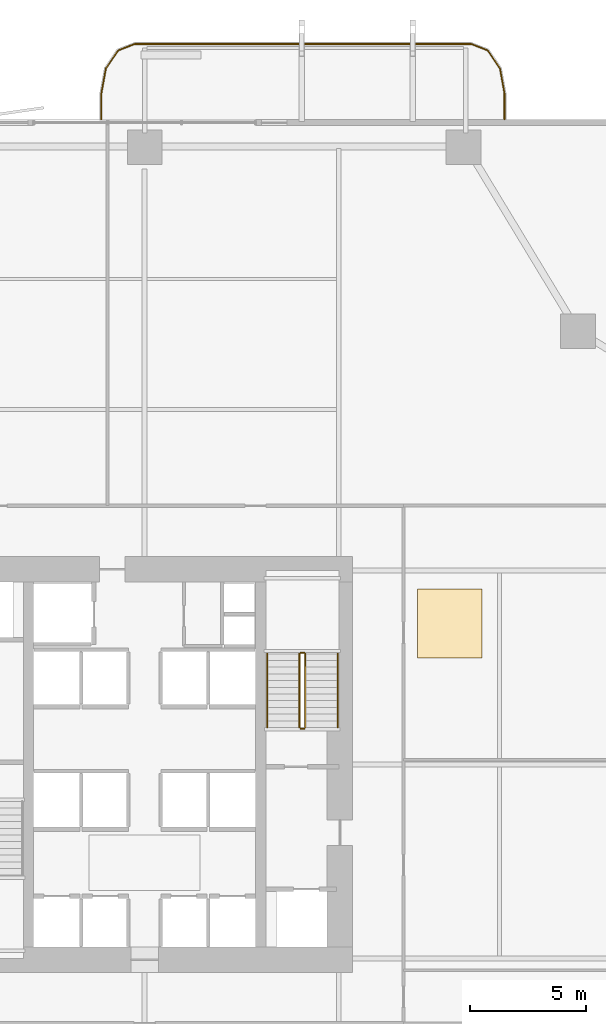
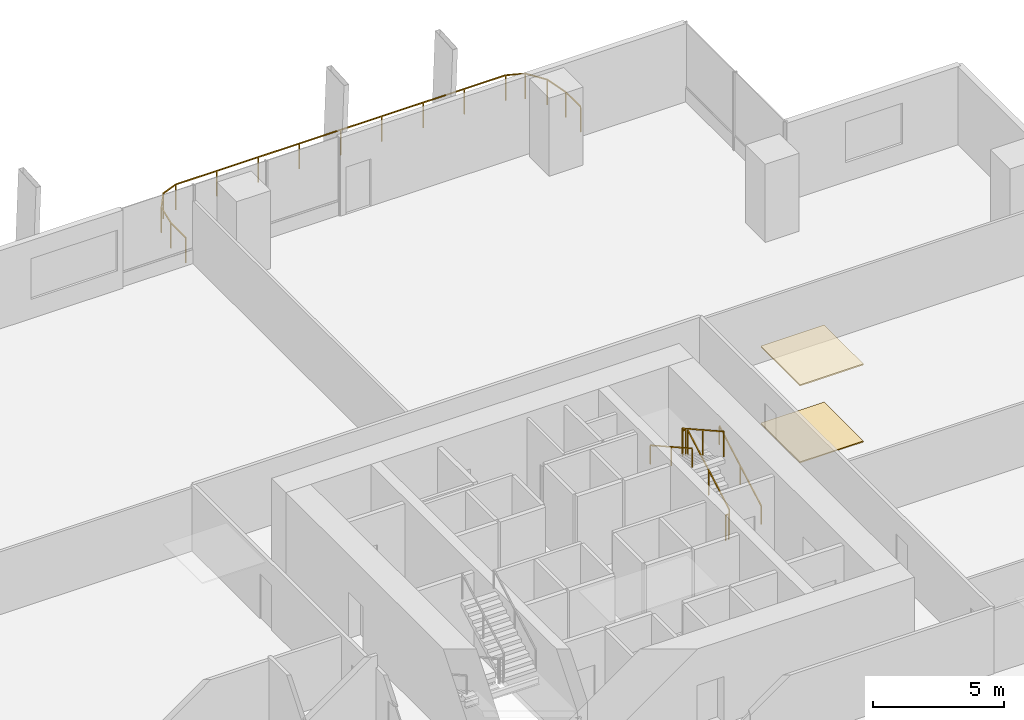
# One storey, part 30 of 30: 7 railings, 2 coverings.
"""IFC4 building model written with IfcOpenShell, lengths in metres."""

from ifc_helpers import new_model, si_unit, direction, frame, origin, origin_2d, place, context, subcontext, project, spatial, polyline, rectangle, outline, extrude, material, layer, layer_set, type_object, element, save


model = new_model("IFC4")

# Units and contexts
model_context = context("Model", 3, precision=1e-05, world=origin(), true_north=direction((0.0, 1.0)))
body_context = subcontext(model_context, "Body", "Model", "MODEL_VIEW")
ifc_project = project(units=[si_unit("LENGTHUNIT", "METRE"), si_unit("AREAUNIT", "SQUARE_METRE"), si_unit("VOLUMEUNIT", "CUBIC_METRE"), si_unit("PLANEANGLEUNIT", "RADIAN"), si_unit("MASSUNIT", "GRAM", prefix="KILO")], contexts=[model_context])

# Site, building, storey
site_placement = place(None, origin())
site = spatial("IfcSite", under=ifc_project, at=site_placement, CompositionType="ELEMENT")
building_placement = place(site_placement, origin())
building = spatial("IfcBuilding", under=site, at=building_placement, Name="Belovzor Exchange Tower", CompositionType="ELEMENT")
storey_placement = place(building_placement, frame((0.0, 0.0, 30.0)))
storey = spatial("IfcBuildingStorey", under=building, at=storey_placement, Name="L06", CompositionType="ELEMENT", Elevation=30.0)

# Railings
ifc_material_1 = material(Name="Stainless Steel Grade 304", Category="steel")
railing_type_1 = type_object("IfcRailingType", Name="Brushed Stainless Steel Stair Handrail 900", PredefinedType="HANDRAIL", material=ifc_material_1)
railing_1_placement = place(storey_placement, frame((37.14990234375, 30.39990234375, 0.16259765625)))
element("IfcRailing", 1, at=railing_1_placement, inside=storey, type_object=railing_type_1, Name="L06 ST-2 stair handrail 1", PredefinedType="HANDRAIL", context=body_context, shape_type="SweptSolid", body=[
    extrude(rectangle(XDim=0.048095703125, YDim=0.048095703125, at=origin_2d()), frame((0.0, 0.0, 0.8759765625), z_axis=(0.0, 0.872406949647, 0.488780230991), x_axis=(-1.0, 0.0, 0.0)), (0.0, 0.0, 1.0), 3.65673828125),
    extrude(rectangle(XDim=0.0419921875, YDim=0.0419921875, at=origin_2d()), origin(), (0.0, 0.0, 1.0), 0.851806640625),
    extrude(rectangle(XDim=0.0419921875, YDim=0.0419921875, at=origin_2d()), frame((0.0, 1.59521484375, 0.8935546875)), (0.0, 0.0, 1.0), 0.851806640625),
    extrude(rectangle(XDim=0.0419921875, YDim=0.0419921875, at=origin_2d()), frame((0.0, 3.190185546875, 1.787353515625)), (0.0, 0.0, 1.0), 0.851806640625),
])
railing_2_placement = place(storey_placement, frame((34.10009765625, 33.590087890625, 2.112548828125)))
element("IfcRailing", 2, at=railing_2_placement, inside=storey, type_object=railing_type_1, Name="L06 ST-2 stair handrail 2", PredefinedType="HANDRAIL", context=body_context, shape_type="SweptSolid", body=[
    extrude(rectangle(XDim=0.048095703125, YDim=0.048095703125, at=origin_2d()), frame((0.0, 0.0, 0.8759765625), z_axis=(0.0, -0.872406949647, 0.488780230991), x_axis=(1.0, 0.0, 0.0)), (0.0, 0.0, 1.0), 3.65673828125),
    extrude(rectangle(XDim=0.0419921875, YDim=0.0419921875, at=origin_2d()), origin(), (0.0, 0.0, 1.0), 0.851806640625),
    extrude(rectangle(XDim=0.0419921875, YDim=0.0419921875, at=origin_2d()), frame((0.0, -1.59521484375, 0.8935546875)), (0.0, 0.0, 1.0), 0.851806640625),
    extrude(rectangle(XDim=0.0419921875, YDim=0.0419921875, at=origin_2d()), frame((0.0, -3.190185546875, 1.787353515625)), (0.0, 0.0, 1.0), 0.851806640625),
])
ifc_material_2 = material(Name="Stainless Steel and Laminated Safety Glass", Category="steel")
railing_type_2 = type_object("IfcRailingType", Name="Laminated Glass & Stainless Steel Balcony Balustrade 1200", PredefinedType="BALUSTRADE", material=ifc_material_2)
railing_3_placement = place(storey_placement, frame((44.3701171875, 56.7099609375, 0.0)))
element("IfcRailing", 3, at=railing_3_placement, inside=storey, type_object=railing_type_2, Name="GR-1 Balcony Balustrade L06 North", PredefinedType="BALUSTRADE", context=body_context, shape_type="SweptSolid", body=[
    extrude(rectangle(XDim=0.048095703125, YDim=0.048095703125, at=origin_2d()), frame((0.0, 0.0, 1.17578125), z_axis=(0.0, 1.0, 0.0), x_axis=(-1.0, 0.0, 0.0)), (0.0, 0.0, 1.0), 1.133056640625),
    extrude(rectangle(XDim=0.048095703125, YDim=0.048095703125, at=origin_2d()), frame((0.0, 1.133056640625, 1.17578125), z_axis=(-0.180122719713, 0.983644145941, 0.0), x_axis=(-0.983644145941, -0.180122719713, 0.0)), (0.0, 0.0, 1.0), 1.09375),
    extrude(rectangle(XDim=0.048095703125, YDim=0.048095703125, at=origin_2d()), frame((-0.197021484375, 2.208984375, 1.17578125), z_axis=(-0.56294695933, 0.826493025367, 0.0), x_axis=(-0.826493025367, -0.56294695933, 0.0)), (0.0, 0.0, 1.0), 0.932861328125),
    extrude(rectangle(XDim=0.048095703125, YDim=0.048095703125, at=origin_2d()), frame((-0.72216796875, 2.97998046875, 1.17578125), z_axis=(-0.930766990125, 0.365612923861, 0.0), x_axis=(-0.365612923861, -0.930766990125, 0.0)), (0.0, 0.0, 1.0), 0.765869140625),
    extrude(rectangle(XDim=0.048095703125, YDim=0.048095703125, at=origin_2d()), frame((-1.43505859375, 3.260009765625, 1.17578125), z_axis=(-1.0, 0.0, 0.0), x_axis=(0.0, -1.0, 0.0)), (0.0, 0.0, 1.0), 14.570068359375),
    extrude(rectangle(XDim=0.048095703125, YDim=0.048095703125, at=origin_2d()), frame((-16.005126953125, 3.260009765625, 1.17578125), z_axis=(-0.930766990125, -0.365612923861, 0.0), x_axis=(0.365612923861, -0.930766990125, 0.0)), (0.0, 0.0, 1.0), 0.765869140625),
    extrude(rectangle(XDim=0.048095703125, YDim=0.048095703125, at=origin_2d()), frame((-16.718017578125, 2.97998046875, 1.17578125), z_axis=(-0.56294695933, -0.826493025367, 0.0), x_axis=(0.826493025367, -0.56294695933, 0.0)), (0.0, 0.0, 1.0), 0.932861328125),
    extrude(rectangle(XDim=0.048095703125, YDim=0.048095703125, at=origin_2d()), frame((-17.2431640625, 2.208984375, 1.17578125), z_axis=(-0.180122719713, -0.983644145941, 0.0), x_axis=(0.983644145941, -0.180122719713, 0.0)), (0.0, 0.0, 1.0), 1.09375),
    extrude(rectangle(XDim=0.048095703125, YDim=0.048095703125, at=origin_2d()), frame((-17.440185546875, 1.133056640625, 1.17578125), z_axis=(0.0, -1.0, 0.0), x_axis=(1.0, 0.0, 0.0)), (0.0, 0.0, 1.0), 1.133056640625),
    extrude(rectangle(XDim=0.0419921875, YDim=0.0419921875, at=origin_2d()), origin(), (0.0, 0.0, 1.0), 1.15185546875),
    extrude(rectangle(XDim=0.0419921875, YDim=0.0419921875, at=origin_2d()), frame((0.0, 1.133056640625, 0.0)), (0.0, 0.0, 1.0), 1.15185546875),
    extrude(rectangle(XDim=0.0419921875, YDim=0.0419921875, at=origin_2d()), frame((-0.197021484375, 2.208984375, 0.0)), (0.0, 0.0, 1.0), 1.15185546875),
    extrude(rectangle(XDim=0.0419921875, YDim=0.0419921875, at=origin_2d()), frame((-0.72216796875, 2.97998046875, 0.0)), (0.0, 0.0, 1.0), 1.15185546875),
    extrude(rectangle(XDim=0.0419921875, YDim=0.0419921875, at=origin_2d()), frame((-1.43505859375, 3.260009765625, 0.0)), (0.0, 0.0, 1.0), 1.15185546875),
    extrude(rectangle(XDim=0.0419921875, YDim=0.0419921875, at=origin_2d()), frame((-3.25634765625, 3.260009765625, 0.0)), (0.0, 0.0, 1.0), 1.15185546875),
    extrude(rectangle(XDim=0.0419921875, YDim=0.0419921875, at=origin_2d()), frame((-5.07763671875, 3.260009765625, 0.0)), (0.0, 0.0, 1.0), 1.15185546875),
    extrude(rectangle(XDim=0.0419921875, YDim=0.0419921875, at=origin_2d()), frame((-6.89892578125, 3.260009765625, 0.0)), (0.0, 0.0, 1.0), 1.15185546875),
    extrude(rectangle(XDim=0.0419921875, YDim=0.0419921875, at=origin_2d()), frame((-8.72021484375, 3.260009765625, 0.0)), (0.0, 0.0, 1.0), 1.15185546875),
    extrude(rectangle(XDim=0.0419921875, YDim=0.0419921875, at=origin_2d()), frame((-10.541259765625, 3.260009765625, 0.0)), (0.0, 0.0, 1.0), 1.15185546875),
    extrude(rectangle(XDim=0.0419921875, YDim=0.0419921875, at=origin_2d()), frame((-12.362548828125, 3.260009765625, 0.0)), (0.0, 0.0, 1.0), 1.15185546875),
    extrude(rectangle(XDim=0.0419921875, YDim=0.0419921875, at=origin_2d()), frame((-14.183837890625, 3.260009765625, 0.0)), (0.0, 0.0, 1.0), 1.15185546875),
    extrude(rectangle(XDim=0.0419921875, YDim=0.0419921875, at=origin_2d()), frame((-16.005126953125, 3.260009765625, 0.0)), (0.0, 0.0, 1.0), 1.15185546875),
    extrude(rectangle(XDim=0.0419921875, YDim=0.0419921875, at=origin_2d()), frame((-16.718017578125, 2.97998046875, 0.0)), (0.0, 0.0, 1.0), 1.15185546875),
    extrude(rectangle(XDim=0.0419921875, YDim=0.0419921875, at=origin_2d()), frame((-17.2431640625, 2.208984375, 0.0)), (0.0, 0.0, 1.0), 1.15185546875),
    extrude(rectangle(XDim=0.0419921875, YDim=0.0419921875, at=origin_2d()), frame((-17.440185546875, 1.133056640625, 0.0)), (0.0, 0.0, 1.0), 1.15185546875),
    extrude(rectangle(XDim=0.0419921875, YDim=0.0419921875, at=origin_2d()), frame((-17.440185546875, 0.0, 0.0)), (0.0, 0.0, 1.0), 1.15185546875),
])
ifc_material_3 = material(Name="Steel S355", Category="steel")
railing_type_3 = type_object("IfcRailingType", Name="Painted Steel Stairwell Guardrail 1200", PredefinedType="GUARDRAIL", material=ifc_material_3)
railing_4_placement = place(storey_placement, frame((35.75, 30.39990234375, 0.16259765625)))
element("IfcRailing", 4, at=railing_4_placement, inside=storey, type_object=railing_type_3, Name="L06 ST-2 stair guard 1", PredefinedType="GUARDRAIL", context=body_context, shape_type="SweptSolid", body=[
    extrude(rectangle(XDim=0.048095703125, YDim=0.048095703125, at=origin_2d()), frame((0.0, 0.0, 1.17578125), z_axis=(0.0, 0.872406949647, 0.488780230991), x_axis=(-1.0, 0.0, 0.0)), (0.0, 0.0, 1.0), 3.65673828125),
    extrude(rectangle(XDim=0.0419921875, YDim=0.0419921875, at=origin_2d()), origin(), (0.0, 0.0, 1.0), 1.15185546875),
    extrude(rectangle(XDim=0.0419921875, YDim=0.0419921875, at=origin_2d()), frame((0.0, 1.59521484375, 0.8935546875)), (0.0, 0.0, 1.0), 1.15185546875),
    extrude(rectangle(XDim=0.0419921875, YDim=0.0419921875, at=origin_2d()), frame((0.0, 3.190185546875, 1.787353515625)), (0.0, 0.0, 1.0), 1.15185546875),
])
railing_5_placement = place(storey_placement, frame((35.699951171875, 33.639892578125, 1.949951171875)))
element("IfcRailing", 5, at=railing_5_placement, inside=storey, type_object=railing_type_3, Name="L06 ST-2 stair guard 2", PredefinedType="GUARDRAIL", context=body_context, shape_type="SweptSolid", body=[
    extrude(rectangle(XDim=0.048095703125, YDim=0.048095703125, at=origin_2d()), frame((0.0, 0.0, 1.17578125), z_axis=(-1.0, 0.0, 0.0), x_axis=(0.0, -1.0, 0.0)), (0.0, 0.0, 1.0), 0.14990234375),
    extrude(rectangle(XDim=0.0419921875, YDim=0.0419921875, at=origin_2d()), origin(), (0.0, 0.0, 1.0), 1.15185546875),
    extrude(rectangle(XDim=0.0419921875, YDim=0.0419921875, at=origin_2d()), frame((-0.14990234375, 0.0, 0.0)), (0.0, 0.0, 1.0), 1.15185546875),
])
railing_6_placement = place(storey_placement, frame((35.5, 33.590087890625, 2.112548828125)))
element("IfcRailing", 6, at=railing_6_placement, inside=storey, type_object=railing_type_3, Name="L06 ST-2 stair guard 3", PredefinedType="GUARDRAIL", context=body_context, shape_type="SweptSolid", body=[
    extrude(rectangle(XDim=0.048095703125, YDim=0.048095703125, at=origin_2d()), frame((0.0, 0.0, 1.17578125), z_axis=(0.0, -0.872406949647, 0.488780230991), x_axis=(1.0, 0.0, 0.0)), (0.0, 0.0, 1.0), 3.65673828125),
    extrude(rectangle(XDim=0.0419921875, YDim=0.0419921875, at=origin_2d()), origin(), (0.0, 0.0, 1.0), 1.15185546875),
    extrude(rectangle(XDim=0.0419921875, YDim=0.0419921875, at=origin_2d()), frame((0.0, -1.59521484375, 0.8935546875)), (0.0, 0.0, 1.0), 1.15185546875),
    extrude(rectangle(XDim=0.0419921875, YDim=0.0419921875, at=origin_2d()), frame((0.0, -3.190185546875, 1.787353515625)), (0.0, 0.0, 1.0), 1.15185546875),
])
railing_7_placement = place(storey_placement, frame((35.699951171875, 30.35009765625, 0.0)))
element("IfcRailing", 7, at=railing_7_placement, inside=storey, type_object=railing_type_3, Name="L06 ST-2 stair guard 4", PredefinedType="GUARDRAIL", context=body_context, shape_type="SweptSolid", body=[
    extrude(rectangle(XDim=0.048095703125, YDim=0.048095703125, at=origin_2d()), frame((0.0, 0.0, 1.17578125), z_axis=(-1.0, 0.0, 0.0), x_axis=(0.0, -1.0, 0.0)), (0.0, 0.0, 1.0), 0.14990234375),
    extrude(rectangle(XDim=0.0419921875, YDim=0.0419921875, at=origin_2d()), origin(), (0.0, 0.0, 1.0), 1.15185546875),
    extrude(rectangle(XDim=0.0419921875, YDim=0.0419921875, at=origin_2d()), frame((-0.14990234375, 0.0, 0.0)), (0.0, 0.0, 1.0), 1.15185546875),
])

# Coverings
ifc_material_4 = material(Name="Perforated Powder-Coated Aluminium", Category="aluminium")
ifc_layer_1 = layer(ifc_material_4, 0.06005859375)
ifc_layer_set_1 = layer_set([ifc_layer_1], Name="Perforated Powder-Coated Aluminium")
covering_type_1 = type_object("IfcCoveringType", Name="Perforated Acoustic Metal Tile Suspended Ceiling 60", PredefinedType="CEILING", material=ifc_layer_set_1)
covering_1_placement = place(storey_placement, frame((0.0, 0.0, 3.590087890625)))
element("IfcCovering", 8, at=covering_1_placement, inside=storey, type_object=covering_type_1, Name="CLG-AC60 Suspended Ceiling CLG-L06-Z2", PredefinedType="CEILING", context=body_context, shape_type="SweptSolid", body=[
    extrude(outline(polyline([(40.60009765625, 33.39990234375), (43.39990234375, 33.39990234375), (43.39990234375, 36.39990234375), (40.60009765625, 36.39990234375), (40.60009765625, 33.39990234375)])), origin(), (0.0, 0.0, 1.0), 0.059814453125),
])
ifc_material_5 = material(Name="Polished Natural Granite Tile", Category="masonry")
ifc_layer_2 = layer(ifc_material_5, 0.050048828125)
ifc_layer_set_2 = layer_set([ifc_layer_2], Name="Polished Natural Granite Tile")
covering_type_2 = type_object("IfcCoveringType", Name="Polished Karelian Granite & Raised Access Floor Finish 50", PredefinedType="FLOORING", material=ifc_layer_set_2)
covering_2_placement = place(storey_placement, origin())
element("IfcCovering", 9, at=covering_2_placement, inside=storey, type_object=covering_type_2, Name="FLR-GR50 Floor Finish FLR-L06-Z2", PredefinedType="FLOORING", context=body_context, shape_type="SweptSolid", body=[
    extrude(outline(polyline([(40.60009765625, 33.39990234375), (43.39990234375, 33.39990234375), (43.39990234375, 36.39990234375), (40.60009765625, 36.39990234375), (40.60009765625, 33.39990234375)])), origin(), (0.0, 0.0, 1.0), 0.050048828125),
])

save(model, "model.ifc")
